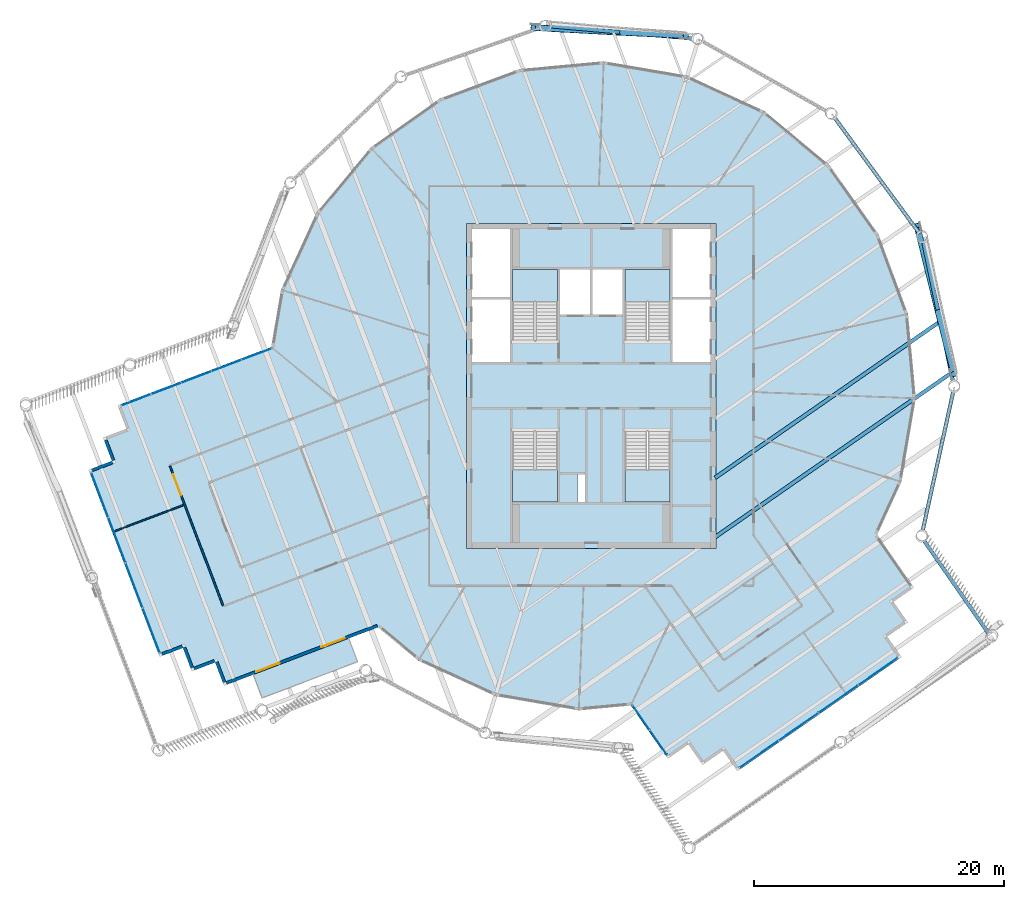
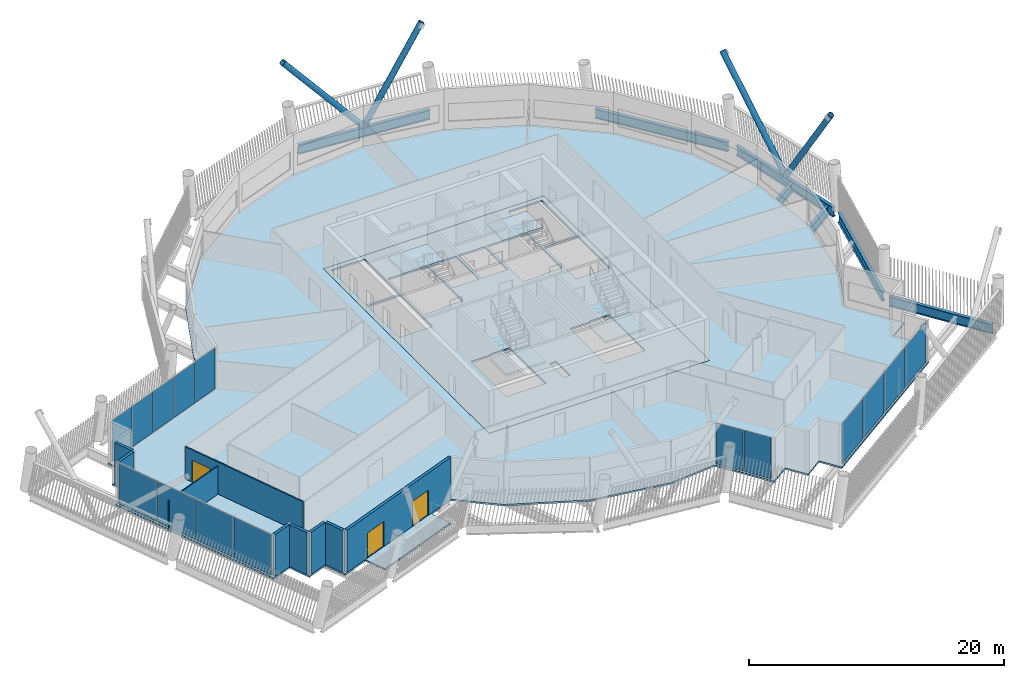
# One storey, part 16 of 33: 15 plates, 9 walls, 7 beams, 7 slabs, 4 members, 3 doors, 3 openings, 8 elements without a shape of their own.
"""IFC4 building model written with IfcOpenShell, lengths in metres."""

import ifcopenshell
import ifcopenshell.guid

model = None  # the IFC model being written
_history = None  # IfcOwnerHistory: only IFC2X3 demands one
_inside = {}  # id of a spatial element -> (the spatial element, [elements in it])
_under = {}  # id of a project, library or spatial element -> (it, [spatial elements below it])
_declared = {}  # id of a project -> (the project, [libraries it declares])
_typed = {}  # id of a type object -> (the type object, [elements of that type])
_made_of = {}  # id of a material, layer set ... -> (it, [elements and type objects made of it])


def new_model(schema):
    """Start an empty IFC model of exactly this schema.

    Asked for "IFC4X3", IfcOpenShell would pick the latest addendum, in which some entities
    have other attributes; the version numbers below select the first issue.
    IFC2X3 requires an IfcOwnerHistory on every rooted entity: one is made here for all.
    """
    global model, _history
    if schema == "IFC4X3":
        model = ifcopenshell.file(schema_version=(4, 3, 0, 0))
    else:
        model = ifcopenshell.file(schema=schema)
    _inside.clear()
    _under.clear()
    _declared.clear()
    _typed.clear()
    _made_of.clear()
    _history = None
    if model.schema == "IFC2X3":
        org = make("IfcOrganization", Name="unknown")
        user = make(
            "IfcPersonAndOrganization",
            ThePerson=make("IfcPerson", FamilyName="unknown"),
            TheOrganization=org,
        )
        app = make(
            "IfcApplication",
            ApplicationDeveloper=org,
            Version="unknown",
            ApplicationFullName="unknown",
            ApplicationIdentifier="unknown",
        )
        _history = make(
            "IfcOwnerHistory",
            OwningUser=user,
            OwningApplication=app,
            ChangeAction="ADDED",
            CreationDate=0,
        )
    return model


def make(cls, **values):
    """One entity of the class cls with the attributes given. An attribute that is None is left unset."""
    return model.create_entity(
        cls, **{name: value for name, value in values.items() if value is not None}
    )


def rooted(cls, **values):
    """An entity with a GlobalId (a new one), such as an element, a storey or a relation."""
    return make(cls, GlobalId=ifcopenshell.guid.new(), OwnerHistory=_history, **values)


def si_unit(unit_type, name, prefix=None):
    """IfcSIUnit, for example si_unit("LENGTHUNIT", "METRE", prefix="MILLI")."""
    return make("IfcSIUnit", UnitType=unit_type, Prefix=prefix, Name=name)


def assignment(units):
    """IfcUnitAssignment: the units of a project."""
    return None if units is None else make("IfcUnitAssignment", Units=units)


def point(xyz):
    """IfcCartesianPoint."""
    return None if xyz is None else make("IfcCartesianPoint", Coordinates=xyz)


def direction(xyz):
    """IfcDirection."""
    return None if xyz is None else make("IfcDirection", DirectionRatios=xyz)


def frame(location, z_axis=None, x_axis=None):
    """IfcAxis2Placement3D, a coordinate frame: its origin and axes. An axis left out is left unset."""
    return make(
        "IfcAxis2Placement3D",
        Location=point(location),
        Axis=direction(z_axis),
        RefDirection=direction(x_axis),
    )


def frame_2d(location, x_axis=None):
    """IfcAxis2Placement2D, a coordinate frame in the plane: its origin and x axis."""
    return make(
        "IfcAxis2Placement2D", Location=point(location), RefDirection=direction(x_axis)
    )


def origin():
    """The frame at (0, 0, 0) with its axes left unset."""
    return frame((0.0, 0.0, 0.0))


def origin_2d():
    """The frame at (0, 0) in the plane with its x axis left unset."""
    return frame_2d((0.0, 0.0))


def place(relative_to, where):
    """IfcLocalPlacement: puts the frame where relative to a parent placement (None: the world)."""
    return make(
        "IfcLocalPlacement", PlacementRelTo=relative_to, RelativePlacement=where
    )


def context(
    kind, dimensions, precision=None, world=None, true_north=None, identifier=None
):
    """IfcGeometricRepresentationContext, for example the 3D "Model" context."""
    return make(
        "IfcGeometricRepresentationContext",
        ContextIdentifier=identifier,
        ContextType=kind,
        CoordinateSpaceDimension=dimensions,
        Precision=precision,
        WorldCoordinateSystem=world,
        TrueNorth=true_north,
    )


def subcontext(parent, identifier, kind, view, scale=None):
    """IfcGeometricRepresentationSubContext, for example "Body" below "Model"."""
    return make(
        "IfcGeometricRepresentationSubContext",
        ContextIdentifier=identifier,
        ContextType=kind,
        ParentContext=parent,
        TargetScale=scale,
        TargetView=view,
    )


def project(units=None, contexts=None):
    """IfcProject with its units and contexts."""
    return rooted(
        "IfcProject",
        Name="project",
        RepresentationContexts=contexts,
        UnitsInContext=assignment(units),
    )


def spatial(cls, under=None, at=None, **own):
    """A site, building, storey or space (cls), placed at a placement, below another one or the project."""
    s = rooted(cls, ObjectPlacement=at, **own)
    if under is not None:
        _under.setdefault(under.id(), (under, []))[1].append(s)
    return s


def polyline(points):
    """IfcPolyline through the points."""
    return make("IfcPolyline", Points=[point(p) for p in points])


def profile(cls, at=None, kind="AREA", **sizes):
    """A parametric profile (cls). Its sizes go by their IFC names, for example OverallWidth=200.0."""
    return make(cls, ProfileType=kind, Position=at, **sizes)


def rectangle(**sizes):
    """IfcRectangleProfileDef."""
    return profile("IfcRectangleProfileDef", **sizes)


def hollow_circle(**sizes):
    """IfcCircleHollowProfileDef."""
    return profile("IfcCircleHollowProfileDef", **sizes)


def i_section(**sizes):
    """IfcIShapeProfileDef."""
    return profile("IfcIShapeProfileDef", **sizes)


def outline(outer, holes=None, kind="AREA"):
    """IfcArbitraryClosedProfileDef: a profile drawn as a closed curve; with holes, ...WithVoids."""
    if holes is None:
        return make("IfcArbitraryClosedProfileDef", ProfileType=kind, OuterCurve=outer)
    return make(
        "IfcArbitraryProfileDefWithVoids",
        ProfileType=kind,
        OuterCurve=outer,
        InnerCurves=holes,
    )


def extrude(swept, where, along, depth):
    """IfcExtrudedAreaSolid: the profile swept, set in the frame where, extruded along a direction by depth."""
    return make(
        "IfcExtrudedAreaSolid",
        SweptArea=swept,
        Position=where,
        ExtrudedDirection=direction(along),
        Depth=depth,
    )


def shape(context_of_items, identifier, shape_type, items):
    """IfcShapeRepresentation: the items that make up one representation, for example the "Body"."""
    return make(
        "IfcShapeRepresentation",
        ContextOfItems=context_of_items,
        RepresentationIdentifier=identifier,
        RepresentationType=shape_type,
        Items=items,
    )


def material(Name=None, Category=None):
    """IfcMaterial."""
    return make("IfcMaterial", Name=Name, Category=Category)


def layer(
    of_material, thickness, ventilated=None, Name=None, Category=None, Priority=None
):
    """IfcMaterialLayer: one layer of a wall or slab, of a material (None: an air gap)."""
    return make(
        "IfcMaterialLayer",
        Material=of_material,
        LayerThickness=thickness,
        IsVentilated=ventilated,
        Name=Name,
        Category=Category,
        Priority=Priority,
    )


def layer_set(layers, Name=None):
    """IfcMaterialLayerSet."""
    return make("IfcMaterialLayerSet", MaterialLayers=layers, LayerSetName=Name)


def material_profile(
    of_material, cross_section, Name=None, Category=None, Priority=None
):
    """IfcMaterialProfile: a cross section and its material."""
    return make(
        "IfcMaterialProfile",
        Name=Name,
        Material=of_material,
        Profile=cross_section,
        Priority=Priority,
        Category=Category,
    )


def profile_set(profiles, Name=None, composite=None):
    """IfcMaterialProfileSet."""
    return make(
        "IfcMaterialProfileSet",
        Name=Name,
        MaterialProfiles=profiles,
        CompositeProfile=composite,
    )


def made_of(thing, what):
    """Note that an element or type object is made of a material, layer set ...; save() writes the relation."""
    if what is not None:
        _made_of.setdefault(what.id(), (what, []))[1].append(thing)
    return thing


def type_object(cls, material=None, **own):
    """A type object (cls), such as IfcWallType, which elements share."""
    return made_of(rooted(cls, **own), material)


def element(
    cls,
    number,
    at=None,
    inside=None,
    cuts=None,
    type_object=None,
    material=None,
    context=None,
    identifier="Body",
    shape_type=None,
    held_by="IfcProductDefinitionShape",
    body=None,
    shapes=None,
    **own,
):
    """One element of the class cls, such as IfcWall. Its Tag is "e" and its number.

    at: its placement. inside: the storey or other place that contains it. cuts: it is an
    opening in that element (IfcRelVoidsElement). A single representation is given by context,
    identifier, shape_type and body (its items); several are given by shapes. held_by: the class
    of the entity that holds the representations. save() writes the other relations.
    """
    e = rooted(cls, Tag="e%d" % number, ObjectPlacement=at, **own)
    if body is not None:
        shapes = [shape(context, identifier, shape_type, body)]
    if shapes is not None:
        e.Representation = make(held_by, Representations=shapes)
    if inside is not None:
        _inside.setdefault(inside.id(), (inside, []))[1].append(e)
    if cuts is not None:
        rooted(
            "IfcRelVoidsElement", RelatingBuildingElement=cuts, RelatedOpeningElement=e
        )
    if type_object is not None:
        _typed.setdefault(type_object.id(), (type_object, []))[1].append(e)
    return made_of(e, material)


def fill(opening, filler):
    """IfcRelFillsElement: the door or window that sits in an opening."""
    return rooted(
        "IfcRelFillsElement",
        RelatingOpeningElement=opening,
        RelatedBuildingElement=filler,
    )


def aggregate(whole, parts):
    """IfcRelAggregates: a whole, such as a stair, and the parts it consists of."""
    return rooted("IfcRelAggregates", RelatingObject=whole, RelatedObjects=parts)


def save(model, path):
    """Write the relations noted so far, then the file.

    IfcRelAggregates (storeys below a building ...), IfcRelContainedInSpatialStructure (elements
    in a storey), IfcRelDefinesByType, IfcRelAssociatesMaterial and IfcRelDeclares: one each for
    every whole, place, type object, material and project.
    """
    for whole, parts in _under.values():
        aggregate(whole, parts)
    for where, things in _inside.values():
        rooted(
            "IfcRelContainedInSpatialStructure",
            RelatedElements=things,
            RelatingStructure=where,
        )
    for kind, things in _typed.values():
        rooted("IfcRelDefinesByType", RelatedObjects=things, RelatingType=kind)
    for what, things in _made_of.values():
        rooted("IfcRelAssociatesMaterial", RelatedObjects=things, RelatingMaterial=what)
    for by, libraries in _declared.values():
        rooted("IfcRelDeclares", RelatingContext=by, RelatedDefinitions=libraries)
    model.write(path)


model = new_model("IFC4")

# Units and contexts
model_context = context("Model", 3, precision=1e-05, world=origin(), true_north=direction((0.0, 1.0)))
body_context = subcontext(model_context, "Body", "Model", "MODEL_VIEW")
ifc_project = project(units=[si_unit("LENGTHUNIT", "METRE"), si_unit("AREAUNIT", "SQUARE_METRE"), si_unit("VOLUMEUNIT", "CUBIC_METRE"), si_unit("PLANEANGLEUNIT", "RADIAN"), si_unit("MASSUNIT", "GRAM", prefix="KILO")], contexts=[model_context])

# Site, building, storey
site_placement = place(None, origin())
site = spatial("IfcSite", under=ifc_project, at=site_placement, CompositionType="ELEMENT")
building_placement = place(site_placement, origin())
building = spatial("IfcBuilding", under=site, at=building_placement, Name="Tarsis Ring Headquarters", CompositionType="ELEMENT")
storey_placement = place(building_placement, frame((0.0, 0.0, 369.199951171875)))
storey = spatial("IfcBuildingStorey", under=building, at=storey_placement, Name="L87", CompositionType="ELEMENT", Elevation=369.199951171875)

# Beams
ifc_material_1 = material(Name="Structural steel S355", Category="steel")
ifc_material_profile_1 = material_profile(ifc_material_1, i_section(OverallWidth=0.3046875, OverallDepth=0.91943359375, WebThickness=0.017333984375, FlangeThickness=0.02783203125, at=origin_2d()), Name="W36x170")
ifc_profile_set_1 = profile_set([ifc_material_profile_1], Name="Structural steel S355")
beam_type_1 = type_object("IfcBeamType", Name="FB Floor beam W36x170", PredefinedType="JOIST", material=ifc_profile_set_1)
beam_1_placement = place(storey_placement, frame((9.91796875, -7.355224609375, -0.61962890625), z_axis=(0.821147205036, 0.570716451193, 0.0), x_axis=(-0.570716451193, 0.821147205036, 0.0)))
element("IfcBeam", 1, at=beam_1_placement, inside=storey, type_object=beam_type_1, Name="Floor beam FB9", PredefinedType="JOIST", context=body_context, shape_type="SweptSolid", body=[
    extrude(i_section(OverallWidth=0.3046875, OverallDepth=0.91943359375, WebThickness=0.017333984375, FlangeThickness=0.02783203125, at=origin_2d()), origin(), (0.0, 0.0, 1.0), 21.87158203125),
])
beam_2_placement = place(storey_placement, frame((9.91796875, -12.104736328125, -0.61962890625), z_axis=(0.82114592637, 0.570718290933, 0.0), x_axis=(-0.570718290933, 0.82114592637, 0.0)))
element("IfcBeam", 2, at=beam_2_placement, inside=storey, type_object=beam_type_1, Name="Floor beam FB9", PredefinedType="JOIST", context=body_context, shape_type="SweptSolid", body=[
    extrude(i_section(OverallWidth=0.3046875, OverallDepth=0.91943359375, WebThickness=0.017333984375, FlangeThickness=0.02783203125, at=origin_2d()), origin(), (0.0, 0.0, 1.0), 22.938232421875),
])

# Members
ifc_material_profile_2 = material_profile(ifc_material_1, hollow_circle(Radius=0.25390625, WallThickness=0.02001953125, at=origin_2d()), Name="CHS 508x20")
ifc_profile_set_2 = profile_set([ifc_material_profile_2], Name="Structural steel S355")
member_type = type_object("IfcMemberType", Name="XD X brace CHS 508x20", PredefinedType="BRACE", material=ifc_profile_set_2)
member_1_placement = place(storey_placement, frame((27.78076171875, 5.87646484375, 0.0), z_axis=(-0.155476143508, 0.629515758514, 0.761273327119), x_axis=(-0.970829030376, -0.239772796164, 0.0)))
element("IfcMember", 3, at=member_1_placement, inside=storey, type_object=member_type, Name="X brace XD2", PredefinedType="BRACE", context=body_context, shape_type="SweptSolid", body=[
    extrude(hollow_circle(Radius=0.25390625, WallThickness=0.02001953125, at=origin_2d()), origin(), (0.0, 0.0, 1.0), 11.034423828125),
])
member_2_placement = place(storey_placement, frame((27.78076171875, 5.87646484375, 0.0), z_axis=(0.127513035737, -0.502596693576, 0.855065488324), x_axis=(0.969290817373, 0.245917285598, 0.0)))
element("IfcMember", 4, at=member_2_placement, inside=storey, type_object=member_type, Name="X brace XD2", PredefinedType="BRACE", context=body_context, shape_type="SweptSolid", body=[
    extrude(hollow_circle(Radius=0.25390625, WallThickness=0.02001953125, at=origin_2d()), origin(), (0.0, 0.0, 1.0), 9.823974609375),
])
member_3_placement = place(storey_placement, frame((2.489013671875, 28.286376953125, 0.0), z_axis=(-0.647482372452, 0.035046886207, 0.761274124827), x_axis=(-0.054048819645, -0.998538294256, 0.0)))
element("IfcMember", 5, at=member_3_placement, inside=storey, type_object=member_type, Name="X brace XD2", PredefinedType="BRACE", context=body_context, shape_type="SweptSolid", body=[
    extrude(hollow_circle(Radius=0.25390625, WallThickness=0.02001953125, at=origin_2d()), origin(), (0.0, 0.0, 1.0), 11.034423828125),
])
member_4_placement = place(storey_placement, frame((2.489013671875, 28.286376953125, 0.0), z_axis=(0.517929435556, -0.024776913164, 0.855064444565), x_axis=(0.047783749872, 0.998857704204, 0.0)))
element("IfcMember", 6, at=member_4_placement, inside=storey, type_object=member_type, Name="X brace XD2", PredefinedType="BRACE", context=body_context, shape_type="SweptSolid", body=[
    extrude(hollow_circle(Radius=0.25390625, WallThickness=0.02001953125, at=origin_2d()), origin(), (0.0, 0.0, 1.0), 9.823974609375),
])

# Beams
beam_type_2 = type_object("IfcBeamType", Name="XG Ring girder W36x170", PredefinedType="BEAM", material=ifc_profile_set_1)
beam_3_placement = place(storey_placement, frame((31.779052734375, -19.79150390625, -0.459716796875), z_axis=(-0.570717197656, 0.821146686226, 0.0), x_axis=(-0.821146686226, -0.570717197656, 0.0)))
element("IfcBeam", 7, at=beam_3_placement, inside=storey, type_object=beam_type_2, Name="Ring girder XG4", PredefinedType="BEAM", context=body_context, shape_type="SweptSolid", body=[
    extrude(i_section(OverallWidth=0.3046875, OverallDepth=0.91943359375, WebThickness=0.017333984375, FlangeThickness=0.02783203125, at=origin_2d()), origin(), (0.0, 0.0, 1.0), 8.981689453125),
])
beam_4_placement = place(storey_placement, frame((26.506591796875, -11.676513671875, -0.459716796875), z_axis=(0.214719522266, 0.976675753133, 0.0), x_axis=(-0.976675753133, 0.214719522266, 0.0)))
element("IfcBeam", 8, at=beam_4_placement, inside=storey, type_object=beam_type_2, Name="Ring girder XG4", PredefinedType="BEAM", context=body_context, shape_type="SweptSolid", body=[
    extrude(i_section(OverallWidth=0.3046875, OverallDepth=0.91943359375, WebThickness=0.017333984375, FlangeThickness=0.02783203125, at=origin_2d()), origin(), (0.0, 0.0, 1.0), 11.426025390625),
])
beam_5_placement = place(storey_placement, frame((28.963134765625, 0.287353515625, -0.459716796875), z_axis=(-0.206944038444, 0.97835278144, 0.0), x_axis=(-0.97835278144, -0.206944038444, 0.0)))
element("IfcBeam", 9, at=beam_5_placement, inside=storey, type_object=beam_type_2, Name="Ring girder XG4", PredefinedType="BEAM", context=body_context, shape_type="SweptSolid", body=[
    extrude(i_section(OverallWidth=0.3046875, OverallDepth=0.91943359375, WebThickness=0.017333984375, FlangeThickness=0.02783203125, at=origin_2d()), origin(), (0.0, 0.0, 1.0), 11.42578125),
])
beam_6_placement = place(storey_placement, frame((26.269775390625, 12.199951171875, -0.459716796875), z_axis=(-0.591808209765, 0.806078806852, 0.0), x_axis=(-0.806078806852, -0.591808209765, 0.0)))
element("IfcBeam", 10, at=beam_6_placement, inside=storey, type_object=beam_type_2, Name="Ring girder XG4", PredefinedType="BEAM", context=body_context, shape_type="SweptSolid", body=[
    extrude(i_section(OverallWidth=0.3046875, OverallDepth=0.91943359375, WebThickness=0.017333984375, FlangeThickness=0.02783203125, at=origin_2d()), origin(), (0.0, 0.0, 1.0), 11.426025390625),
])
beam_7_placement = place(storey_placement, frame((8.179931640625, 27.785400390625, -0.459716796875), z_axis=(-0.996149523394, 0.087670559727, 0.0), x_axis=(-0.087670559727, -0.996149523394, 0.0)))
element("IfcBeam", 11, at=beam_7_placement, inside=storey, type_object=beam_type_2, Name="Ring girder XG4", PredefinedType="BEAM", context=body_context, shape_type="SweptSolid", body=[
    extrude(i_section(OverallWidth=0.3046875, OverallDepth=0.91943359375, WebThickness=0.017333984375, FlangeThickness=0.02783203125, at=origin_2d()), origin(), (0.0, 0.0, 1.0), 11.42578125),
])

# Slabs
ifc_material_2 = material(Name="Concrete C40/50", Category="concrete")
ifc_layer_1 = layer(ifc_material_2, 0.159912109375)
ifc_layer_set_1 = layer_set([ifc_layer_1], Name="Balcony slab concrete C40/50")
slab_type_1 = type_object("IfcSlabType", Name="Balcony slab concrete C40/50", PredefinedType="FLOOR", material=ifc_layer_set_1)
slab_1_placement = place(storey_placement, frame((0.0, 0.0, -0.159912109375)))
element("IfcSlab", 12, at=slab_1_placement, inside=storey, type_object=slab_type_1, Name="Balcony slab L87-01", PredefinedType="FLOOR", context=body_context, shape_type="SweptSolid", body=[
    extrude(outline(polyline([(-27.055419921875, -23.114013671875), (-26.34521484375, -24.983642578125), (-18.705810546875, -22.081787109375), (-19.416015625, -20.212158203125), (-27.055419921875, -23.114013671875)])), origin(), (0.0, 0.0, 1.0), 0.159912109375),
])
ifc_layer_2 = layer(ifc_material_2, 0.159912109375)
ifc_layer_set_2 = layer_set([ifc_layer_2], Name="Core floor slab 160 C40/50")
slab_type_2 = type_object("IfcSlabType", Name="Core floor slab 160 C40/50", PredefinedType="FLOOR", material=ifc_layer_set_2)
slab_2_placement = place(storey_placement, frame((0.0, 0.0, -0.159912109375)))
element("IfcSlab", 13, at=slab_2_placement, inside=storey, type_object=slab_type_2, Name="L87 core floor slab", PredefinedType="FLOOR", context=body_context, shape_type="SweptSolid", body=[
    extrude(outline(polyline([(-10.0, -13.0), (10.0, -13.0), (10.0, 13.0), (-10.0, 13.0), (-10.0, -13.0)]), holes=[polyline([(-2.5, 5.699951171875), (-0.10009765625, 5.699951171875), (-0.10009765625, 9.300048828125), (-2.5, 9.300048828125), (-2.5, 5.699951171875)]), polyline([(0.10009765625, 5.699951171875), (2.5, 5.699951171875), (2.5, 9.300048828125), (0.10009765625, 9.300048828125), (0.10009765625, 5.699951171875)]), polyline([(-9.550048828125, 1.89990234375), (-6.5, 1.89990234375), (-6.5, 6.89990234375), (-9.550048828125, 6.89990234375), (-9.550048828125, 1.89990234375)]), polyline([(-9.550048828125, 7.10009765625), (-6.5, 7.10009765625), (-6.5, 12.550048828125), (-9.550048828125, 12.550048828125), (-9.550048828125, 7.10009765625)]), polyline([(6.5, 1.89990234375), (9.550048828125, 1.89990234375), (9.550048828125, 6.89990234375), (6.5, 6.89990234375), (6.5, 1.89990234375)]), polyline([(6.5, 7.10009765625), (9.550048828125, 7.10009765625), (9.550048828125, 12.550048828125), (6.5, 12.550048828125), (6.5, 7.10009765625)]), polyline([(-1.10009765625, -9.300048828125), (-0.5, -9.300048828125), (-0.5, -7.10009765625), (-1.10009765625, -7.10009765625), (-1.10009765625, -9.300048828125)]), polyline([(-2.699951171875, 3.760009765625), (-2.699951171875, 9.300048828125), (-6.300048828125, 9.300048828125), (-6.300048828125, 3.659912109375), (-4.4599609375, 3.659912109375), (-4.4599609375, 3.760009765625), (-2.699951171875, 3.760009765625)]), polyline([(6.300048828125, 3.760009765625), (6.300048828125, 9.300048828125), (2.699951171875, 9.300048828125), (2.699951171875, 3.659912109375), (4.5400390625, 3.659912109375), (4.5400390625, 3.760009765625), (6.300048828125, 3.760009765625)]), polyline([(-6.300048828125, -3.760009765625), (-6.300048828125, -9.300048828125), (-2.699951171875, -9.300048828125), (-2.699951171875, -3.659912109375), (-4.5400390625, -3.659912109375), (-4.5400390625, -3.760009765625), (-6.300048828125, -3.760009765625)]), polyline([(2.699951171875, -3.760009765625), (2.699951171875, -9.300048828125), (6.300048828125, -9.300048828125), (6.300048828125, -3.659912109375), (4.4599609375, -3.659912109375), (4.4599609375, -3.760009765625), (2.699951171875, -3.760009765625)])]), origin(), (0.0, 0.0, 1.0), 0.159912109375),
])

# Stair, slab
ifc_material_3 = material(Name="Core stair 1760")
stair_type = type_object("IfcStairType", Name="Core stair 1760", PredefinedType="HALF_TURN_STAIR", material=ifc_material_3)
stair_1_placement = place(storey_placement, origin())
stair_1 = element("IfcStair", 14, at=stair_1_placement, inside=storey, type_object=stair_type, Name="L87 Firefighting stair", PredefinedType="HALF_TURN_STAIR")
ifc_layer_3 = layer(ifc_material_2, 0.199951171875)
ifc_layer_set_3 = layer_set([ifc_layer_3], Name="Core stair landing 200")
slab_type_3 = type_object("IfcSlabType", Name="Core stair landing 200", PredefinedType="LANDING", material=ifc_layer_set_3)
slab_3_placement = place(storey_placement, frame((0.0, 0.0, 1.900146484375)))
slab_3 = element("IfcSlab", 15, at=slab_3_placement, type_object=slab_type_3, Name="Stair ST1 landing 1", PredefinedType="LANDING", context=body_context, shape_type="SweptSolid", body=[
    extrude(outline(polyline([(-2.699951171875, 6.739990234375), (-2.699951171875, 9.300048828125), (-6.300048828125, 9.300048828125), (-6.300048828125, 6.739990234375), (-2.699951171875, 6.739990234375)])), origin(), (0.0, 0.0, 1.0), 0.199951171875),
])
aggregate(stair_1, [slab_3])

stair_2_placement = place(storey_placement, origin())
stair_2 = element("IfcStair", 16, at=stair_2_placement, inside=storey, type_object=stair_type, Name="L87 Exit stair B", PredefinedType="HALF_TURN_STAIR")
slab_4_placement = place(storey_placement, frame((0.0, 0.0, 1.900146484375)))
slab_4 = element("IfcSlab", 17, at=slab_4_placement, type_object=slab_type_3, Name="Stair ST2 landing 1", PredefinedType="LANDING", context=body_context, shape_type="SweptSolid", body=[
    extrude(outline(polyline([(6.300048828125, 6.739990234375), (6.300048828125, 9.300048828125), (2.699951171875, 9.300048828125), (2.699951171875, 6.739990234375), (6.300048828125, 6.739990234375)])), origin(), (0.0, 0.0, 1.0), 0.199951171875),
])
aggregate(stair_2, [slab_4])

stair_3_placement = place(storey_placement, origin())
stair_3 = element("IfcStair", 18, at=stair_3_placement, inside=storey, type_object=stair_type, Name="L87 Exit stair C", PredefinedType="HALF_TURN_STAIR")
slab_5_placement = place(storey_placement, frame((0.0, 0.0, 1.900146484375)))
slab_5 = element("IfcSlab", 19, at=slab_5_placement, type_object=slab_type_3, Name="Stair ST3 landing 1", PredefinedType="LANDING", context=body_context, shape_type="SweptSolid", body=[
    extrude(outline(polyline([(-6.300048828125, -6.739990234375), (-6.300048828125, -9.300048828125), (-2.699951171875, -9.300048828125), (-2.699951171875, -6.739990234375), (-6.300048828125, -6.739990234375)])), origin(), (0.0, 0.0, 1.0), 0.199951171875),
])
aggregate(stair_3, [slab_5])

stair_4_placement = place(storey_placement, origin())
stair_4 = element("IfcStair", 20, at=stair_4_placement, inside=storey, type_object=stair_type, Name="L87 Exit stair D", PredefinedType="HALF_TURN_STAIR")
slab_6_placement = place(storey_placement, frame((0.0, 0.0, 1.900146484375)))
slab_6 = element("IfcSlab", 21, at=slab_6_placement, type_object=slab_type_3, Name="Stair ST4 landing 1", PredefinedType="LANDING", context=body_context, shape_type="SweptSolid", body=[
    extrude(outline(polyline([(2.699951171875, -6.739990234375), (2.699951171875, -9.300048828125), (6.300048828125, -9.300048828125), (6.300048828125, -6.739990234375), (2.699951171875, -6.739990234375)])), origin(), (0.0, 0.0, 1.0), 0.199951171875),
])
aggregate(stair_4, [slab_6])

# Curtain wall, plates
ifc_material_4 = material(Name="Aluminium curtain wall", Category="aluminium")
ifc_layer_4 = layer(ifc_material_4, 0.199951171875)
ifc_layer_set_4 = layer_set([ifc_layer_4], Name="Curtain wall executive tip")
curtain_wall_type_1 = type_object("IfcCurtainWallType", Name="Curtain wall executive tip", PredefinedType="NOTDEFINED", material=ifc_layer_set_4)
curtain_wall_1_placement = place(storey_placement, origin())
curtain_wall_1 = element("IfcCurtainWall", 22, at=curtain_wall_1_placement, inside=storey, type_object=curtain_wall_type_1, Name="Curtain wall L87-11", PredefinedType="NOTDEFINED")
ifc_material_5 = material(Name="Clear double glazing", Category="glass")
ifc_layer_5 = layer(ifc_material_5, 0.028076171875)
ifc_layer_set_5 = layer_set([ifc_layer_5], Name="Curtain wall glass panel executive tip")
plate_type_1 = type_object("IfcPlateType", Name="Curtain wall glass panel executive tip", PredefinedType="CURTAIN_PANEL", material=ifc_layer_set_5)
plate_1_placement = place(storey_placement, frame((13.432861328125, -29.4814453125, 0.070068359375), z_axis=(0.0, 0.0, 1.0), x_axis=(0.821149223607, 0.57071354686, 0.0)))
plate_1 = element("IfcPlate", 23, at=plate_1_placement, type_object=plate_type_1, Name="CW-E panel 1.1", PredefinedType="CURTAIN_PANEL", context=body_context, shape_type="SweptSolid", body=[
    extrude(rectangle(XDim=3.77001953125, YDim=0.028076171875, at=origin_2d()), origin(), (0.0, 0.0, 1.0), 3.89990234375),
])
plate_2_placement = place(storey_placement, frame((16.6005859375, -27.27978515625, 0.070068359375), z_axis=(0.0, 0.0, 1.0), x_axis=(0.821149223607, 0.57071354686, 0.0)))
plate_2 = element("IfcPlate", 24, at=plate_2_placement, type_object=plate_type_1, Name="CW-E panel 2.1", PredefinedType="CURTAIN_PANEL", context=body_context, shape_type="SweptSolid", body=[
    extrude(rectangle(XDim=3.804931640625, YDim=0.028076171875, at=origin_2d()), origin(), (0.0, 0.0, 1.0), 3.89990234375),
])
plate_3_placement = place(storey_placement, frame((19.782470703125, -25.068359375, 0.070068359375), z_axis=(0.0, 0.0, 1.0), x_axis=(0.821149223607, 0.57071354686, 0.0)))
plate_3 = element("IfcPlate", 25, at=plate_3_placement, type_object=plate_type_1, Name="CW-E panel 3.1", PredefinedType="CURTAIN_PANEL", context=body_context, shape_type="SweptSolid", body=[
    extrude(rectangle(XDim=3.804931640625, YDim=0.028076171875, at=origin_2d()), origin(), (0.0, 0.0, 1.0), 3.89990234375),
])
plate_4_placement = place(storey_placement, frame((22.949951171875, -22.866943359375, 0.070068359375), z_axis=(0.0, 0.0, 1.0), x_axis=(0.821149223607, 0.57071354686, 0.0)))
plate_4 = element("IfcPlate", 26, at=plate_4_placement, type_object=plate_type_1, Name="CW-E panel 4.1", PredefinedType="CURTAIN_PANEL", context=body_context, shape_type="SweptSolid", body=[
    extrude(rectangle(XDim=3.77001953125, YDim=0.028076171875, at=origin_2d()), origin(), (0.0, 0.0, 1.0), 3.89990234375),
])
aggregate(curtain_wall_1, [plate_1, plate_2, plate_3, plate_4])

curtain_wall_2_placement = place(storey_placement, origin())
curtain_wall_2 = element("IfcCurtainWall", 27, at=curtain_wall_2_placement, inside=storey, type_object=curtain_wall_type_1, Name="Curtain wall L87-36", PredefinedType="NOTDEFINED")
plate_5_placement = place(storey_placement, frame((-39.333984375, -8.74267578125, 0.070068359375), z_axis=(0.0, 0.0, 1.0), x_axis=(0.355106966732, -0.934825674754, 0.0)))
plate_5 = element("IfcPlate", 28, at=plate_5_placement, type_object=plate_type_1, Name="CW-E panel 1.1", PredefinedType="CURTAIN_PANEL", context=body_context, shape_type="SweptSolid", body=[
    extrude(rectangle(XDim=3.77001953125, YDim=0.028076171875, at=origin_2d()), origin(), (0.0, 0.0, 1.0), 3.89990234375),
])
plate_6_placement = place(storey_placement, frame((-37.964111328125, -12.3486328125, 0.070068359375), z_axis=(0.0, 0.0, 1.0), x_axis=(0.355106966732, -0.934825674754, 0.0)))
plate_6 = element("IfcPlate", 29, at=plate_6_placement, type_object=plate_type_1, Name="CW-E panel 2.1", PredefinedType="CURTAIN_PANEL", context=body_context, shape_type="SweptSolid", body=[
    extrude(rectangle(XDim=3.804931640625, YDim=0.028076171875, at=origin_2d()), origin(), (0.0, 0.0, 1.0), 3.89990234375),
])
plate_7_placement = place(storey_placement, frame((-36.588134765625, -15.97119140625, 0.070068359375), z_axis=(0.0, 0.0, 1.0), x_axis=(0.355106966732, -0.934825674754, 0.0)))
plate_7 = element("IfcPlate", 30, at=plate_7_placement, type_object=plate_type_1, Name="CW-E panel 3.1", PredefinedType="CURTAIN_PANEL", context=body_context, shape_type="SweptSolid", body=[
    extrude(rectangle(XDim=3.804931640625, YDim=0.028076171875, at=origin_2d()), origin(), (0.0, 0.0, 1.0), 3.89990234375),
])
plate_8_placement = place(storey_placement, frame((-35.21826171875, -19.5771484375, 0.070068359375), z_axis=(0.0, 0.0, 1.0), x_axis=(0.355106966732, -0.934825674754, 0.0)))
plate_8 = element("IfcPlate", 31, at=plate_8_placement, type_object=plate_type_1, Name="CW-E panel 4.1", PredefinedType="CURTAIN_PANEL", context=body_context, shape_type="SweptSolid", body=[
    extrude(rectangle(XDim=3.77001953125, YDim=0.028076171875, at=origin_2d()), origin(), (0.0, 0.0, 1.0), 3.89990234375),
])
aggregate(curtain_wall_2, [plate_5, plate_6, plate_7, plate_8])

ifc_layer_6 = layer(ifc_material_4, 0.14990234375)
ifc_layer_set_6 = layer_set([ifc_layer_6], Name="Curtain wall tower unit")
curtain_wall_type_2 = type_object("IfcCurtainWallType", Name="Curtain wall tower unit", PredefinedType="NOTDEFINED", material=ifc_layer_set_6)
curtain_wall_3_placement = place(storey_placement, origin())
curtain_wall_3 = element("IfcCurtainWall", 32, at=curtain_wall_3_placement, inside=storey, type_object=curtain_wall_type_2, Name="Curtain wall L87-06", PredefinedType="NOTDEFINED")
ifc_layer_7 = layer(ifc_material_5, 0.028076171875)
ifc_layer_set_7 = layer_set([ifc_layer_7], Name="Curtain wall glass panel tower unit")
plate_type_2 = type_object("IfcPlateType", Name="Curtain wall glass panel tower unit", PredefinedType="CURTAIN_PANEL", material=ifc_layer_set_7)
plate_9_placement = place(storey_placement, frame((3.988037109375, -26.545166015625, 0.06005859375), z_axis=(0.0, 0.0, 1.0), x_axis=(0.570713551662, -0.82114922027, 0.0)))
plate_9 = element("IfcPlate", 33, at=plate_9_placement, type_object=plate_type_2, Name="CW-T panel 1.1", PredefinedType="CURTAIN_PANEL", context=body_context, shape_type="SweptSolid", body=[
    extrude(rectangle(XDim=2.37109375, YDim=0.028076171875, at=origin_2d()), origin(), (0.0, 0.0, 1.0), 3.919921875),
])
plate_10_placement = place(storey_placement, frame((5.375244140625, -28.541259765625, 0.06005859375), z_axis=(0.0, 0.0, 1.0), x_axis=(0.570713551662, -0.82114922027, 0.0)))
plate_10 = element("IfcPlate", 34, at=plate_10_placement, type_object=plate_type_2, Name="CW-T panel 2.1", PredefinedType="CURTAIN_PANEL", context=body_context, shape_type="SweptSolid", body=[
    extrude(rectangle(XDim=2.37109375, YDim=0.028076171875, at=origin_2d()), origin(), (0.0, 0.0, 1.0), 3.919921875),
])
aggregate(curtain_wall_3, [plate_9, plate_10])

curtain_wall_4_placement = place(storey_placement, origin())
curtain_wall_4 = element("IfcCurtainWall", 35, at=curtain_wall_4_placement, inside=storey, type_object=curtain_wall_type_2, Name="Curtain wall L87-31", PredefinedType="NOTDEFINED")
plate_11_placement = place(storey_placement, frame((-26.796630859375, 2.52392578125, 0.06005859375), z_axis=(0.0, 0.0, 1.0), x_axis=(-0.934825683207, -0.355106944477, 0.0)))
plate_11 = element("IfcPlate", 36, at=plate_11_placement, type_object=plate_type_2, Name="CW-T panel 1.1", PredefinedType="CURTAIN_PANEL", context=body_context, shape_type="SweptSolid", body=[
    extrude(rectangle(XDim=2.490234375, YDim=0.028076171875, at=origin_2d()), origin(), (0.0, 0.0, 1.0), 3.919921875),
])
plate_12_placement = place(storey_placement, frame((-29.194580078125, 1.613037109375, 0.06005859375), z_axis=(0.0, 0.0, 1.0), x_axis=(-0.934825683207, -0.355106944477, 0.0)))
plate_12 = element("IfcPlate", 37, at=plate_12_placement, type_object=plate_type_2, Name="CW-T panel 2.1", PredefinedType="CURTAIN_PANEL", context=body_context, shape_type="SweptSolid", body=[
    extrude(rectangle(XDim=2.520263671875, YDim=0.028076171875, at=origin_2d()), origin(), (0.0, 0.0, 1.0), 3.919921875),
])
plate_13_placement = place(storey_placement, frame((-31.606689453125, 0.696533203125, 0.06005859375), z_axis=(0.0, 0.0, 1.0), x_axis=(-0.934825683207, -0.355106944477, 0.0)))
plate_13 = element("IfcPlate", 38, at=plate_13_placement, type_object=plate_type_2, Name="CW-T panel 3.1", PredefinedType="CURTAIN_PANEL", context=body_context, shape_type="SweptSolid", body=[
    extrude(rectangle(XDim=2.520263671875, YDim=0.028076171875, at=origin_2d()), origin(), (0.0, 0.0, 1.0), 3.919921875),
])
plate_14_placement = place(storey_placement, frame((-34.018798828125, -0.2197265625, 0.06005859375), z_axis=(0.0, 0.0, 1.0), x_axis=(-0.934825683207, -0.355106944477, 0.0)))
plate_14 = element("IfcPlate", 39, at=plate_14_placement, type_object=plate_type_2, Name="CW-T panel 4.1", PredefinedType="CURTAIN_PANEL", context=body_context, shape_type="SweptSolid", body=[
    extrude(rectangle(XDim=2.520263671875, YDim=0.028076171875, at=origin_2d()), origin(), (0.0, 0.0, 1.0), 3.919921875),
])
plate_15_placement = place(storey_placement, frame((-36.416748046875, -1.130615234375, 0.06005859375), z_axis=(0.0, 0.0, 1.0), x_axis=(-0.934825683207, -0.355106944477, 0.0)))
plate_15 = element("IfcPlate", 40, at=plate_15_placement, type_object=plate_type_2, Name="CW-T panel 5.1", PredefinedType="CURTAIN_PANEL", context=body_context, shape_type="SweptSolid", body=[
    extrude(rectangle(XDim=2.490234375, YDim=0.028076171875, at=origin_2d()), origin(), (0.0, 0.0, 1.0), 3.919921875),
])
aggregate(curtain_wall_4, [plate_11, plate_12, plate_13, plate_14, plate_15])

# Slab
ifc_material_6 = material(Name="Concrete C35/45", Category="concrete")
ifc_layer_8 = layer(ifc_material_6, 0.159912109375)
ifc_layer_set_8 = layer_set([ifc_layer_8], Name="FS Composite floor slab 160")
slab_type_4 = type_object("IfcSlabType", Name="FS Composite floor slab 160", PredefinedType="FLOOR", material=ifc_layer_set_8)
slab_7_placement = place(storey_placement, frame((0.0, 0.0, -0.159912109375)))
element("IfcSlab", 41, at=slab_7_placement, inside=storey, type_object=slab_type_4, Name="Floor slab L87", PredefinedType="FLOOR", context=body_context, shape_type="SweptSolid", body=[
    extrude(outline(polyline([(-17.078857421875, -19.32421875), (-13.854736328125, -22.0009765625), (-7.6884765625, -24.837158203125), (-0.998046875, -25.98095703125), (3.174560546875, -25.59375), (6.126220703125, -29.8408203125), (7.7685546875, -28.69921875), (8.909912109375, -30.341552734375), (10.55224609375, -29.2001953125), (11.693603515625, -30.842529296875), (24.83203125, -21.711181640625), (23.690673828125, -20.06884765625), (25.3330078125, -18.92724609375), (24.19140625, -17.28515625), (25.833740234375, -16.1435546875), (22.893798828125, -11.91357421875), (24.837158203125, -7.6884765625), (25.98095703125, -0.998046875), (25.35400390625, 5.76025390625), (22.9990234375, 12.1259765625), (19.076904296875, 17.66552734375), (13.854736328125, 22.0009765625), (7.6884765625, 24.837158203125), (0.998046875, 25.98095703125), (-5.76025390625, 25.35400390625), (-12.1259765625, 22.9990234375), (-17.66552734375, 19.076904296875), (-22.0009765625, 13.854736328125), (-24.837158203125, 7.6884765625), (-25.620849609375, 3.104248046875), (-37.9150390625, -1.56591796875), (-37.204833984375, -3.435546875), (-39.074462890625, -4.145751953125), (-38.3642578125, -6.015380859375), (-40.23388671875, -6.7255859375), (-34.55224609375, -21.682861328125), (-32.6826171875, -20.97265625), (-31.972412109375, -22.84228515625), (-30.1025390625, -22.132080078125), (-29.392333984375, -24.001708984375), (-17.078857421875, -19.32421875)]), holes=[polyline([(-10.0, -13.0), (-10.0, 13.0), (10.0, 13.0), (10.0, -13.0), (-10.0, -13.0)])]), origin(), (0.0, 0.0, 1.0), 0.159912109375),
])

# Wall
ifc_material_7 = material(Name="Gypsum board on steel studs", Category="steel")
ifc_layer_9 = layer(ifc_material_7, 0.10009765625)
ifc_layer_set_9 = layer_set([ifc_layer_9], Name="FL partition 100 unrated")
wall_type_1 = type_object("IfcWallType", Name="FL partition 100 unrated", PredefinedType="PARTITIONING", material=ifc_layer_set_9)
wall_1_placement = place(storey_placement, frame((-38.29443359375, -11.6904296875, 0.0), z_axis=(0.0, 0.0, 1.0), x_axis=(0.934833971164, 0.35508512551, 0.0)))
element("IfcWall", 42, at=wall_1_placement, inside=storey, type_object=wall_type_1, Name="Partition PW3", PredefinedType="PARTITIONING", context=body_context, shape_type="SweptSolid", body=[
    extrude(rectangle(XDim=6.080078125, YDim=0.10009765625, at=frame_2d((3.0400390625, 0.0))), origin(), (0.0, 0.0, 1.0), 2.699951171875),
])

# Wall, opening, door
ifc_layer_10 = layer(ifc_material_7, 0.125)
ifc_layer_set_10 = layer_set([ifc_layer_10], Name="FL partition 125 EI 60 H3070")
wall_type_2 = type_object("IfcWallType", Name="FL partition 125 EI 60 H3070", PredefinedType="PARTITIONING", material=ifc_layer_set_10)
wall_2_placement = place(storey_placement, frame((-33.717041015625, -6.421630859375, 0.0), z_axis=(0.0, 0.0, 1.0), x_axis=(0.355106624226, -0.934825804859, 0.0)))
wall_2 = element("IfcWall", 43, at=wall_2_placement, inside=storey, type_object=wall_type_2, Name="Partition PW1H307", PredefinedType="PARTITIONING", context=body_context, shape_type="SweptSolid", body=[
    extrude(rectangle(XDim=11.93994140625, YDim=0.125, at=frame_2d((5.969970703125, 0.0))), origin(), (0.0, 0.0, 1.0), 3.070068359375),
])
opening_1_placement = place(wall_2_placement, frame((0.7216796875, 0.0, 0.0)))
opening_1 = element("IfcOpeningElement", 44, at=opening_1_placement, cuts=wall_2, Name="Opening D87.02", PredefinedType="OPENING", context=body_context, shape_type="SweptSolid", body=[
    extrude(rectangle(XDim=1.800048828125, YDim=2.10009765625, at=frame_2d((0.89990234375, 1.050048828125))), frame((0.0, 0.072509765625, 0.0), z_axis=(0.0, -1.0, 0.0), x_axis=(1.0, 0.0, 0.0)), (0.0, 0.0, 1.0), 0.14501953125),
])
ifc_material_8 = material(Name="Fire-rated timber door leaf in steel frame", Category="steel")
door_type_1 = type_object("IfcDoorType", Name="FL door FD60-1800", OperationType="DOUBLE_DOOR_SINGLE_SWING", PredefinedType="DOOR", material=ifc_material_8)
door_1_placement = place(opening_1_placement, origin())
door_1 = element("IfcDoor", 45, at=door_1_placement, inside=storey, type_object=door_type_1, Name="Door D87.02", OperationType="DOUBLE_DOOR_SINGLE_SWING", OverallHeight=2.10009765625, OverallWidth=1.800048828125, PredefinedType="DOOR", context=body_context, shape_type="SweptSolid", body=[
    extrude(rectangle(XDim=1.800048828125, YDim=2.10009765625, at=frame_2d((0.89990234375, 1.050048828125))), frame((0.0, 0.02490234375, 0.0), z_axis=(0.0, -1.0, 0.0), x_axis=(1.0, 0.0, 0.0)), (0.0, 0.0, 1.0), 0.050048828125),
])
fill(opening_1, door_1)

# Wall, openings, doors
ifc_material_9 = material(Name="Terracotta clad insulated panel wall", Category="masonry")
ifc_layer_11 = layer(ifc_material_9, 0.25)
ifc_layer_set_11 = layer_set([ifc_layer_11], Name="Facade wall terracotta panel 250")
wall_type_3 = type_object("IfcWallType", Name="Facade wall terracotta panel 250", PredefinedType="STANDARD", material=ifc_layer_set_11)
wall_3_placement = place(storey_placement, frame((-29.203125, -23.796142578125, 0.0), z_axis=(0.0, 0.0, 1.0), x_axis=(0.934827614029, 0.355101861511, 0.0)))
wall_3 = element("IfcWall", 46, at=wall_3_placement, inside=storey, type_object=wall_type_3, Name="External wall L87-01", PredefinedType="STANDARD", context=body_context, shape_type="SweptSolid", body=[
    extrude(rectangle(XDim=12.921875, YDim=0.25, at=frame_2d((6.4609375, 0.0))), origin(), (0.0, 0.0, 1.0), 4.0400390625),
])
opening_2_placement = place(wall_3_placement, frame((2.550048828125, 0.0, 0.0)))
opening_2 = element("IfcOpeningElement", 47, at=opening_2_placement, cuts=wall_3, Name="Opening L87-BD01", PredefinedType="OPENING", context=body_context, shape_type="SweptSolid", body=[
    extrude(rectangle(XDim=2.0, YDim=2.39990234375, at=frame_2d((1.0, 1.199951171875))), frame((0.0, 0.135009765625, 0.0), z_axis=(0.0, -1.0, 0.0), x_axis=(1.0, 0.0, 0.0)), (0.0, 0.0, 1.0), 0.27001953125),
])
opening_3_placement = place(wall_3_placement, frame((8.1220703125, 0.0, 0.0)))
opening_3 = element("IfcOpeningElement", 48, at=opening_3_placement, cuts=wall_3, Name="Opening L87-BD02", PredefinedType="OPENING", context=body_context, shape_type="SweptSolid", body=[
    extrude(rectangle(XDim=2.0, YDim=2.39990234375, at=frame_2d((1.0, 1.199951171875))), frame((0.0, 0.135009765625, 0.0), z_axis=(0.0, -1.0, 0.0), x_axis=(1.0, 0.0, 0.0)), (0.0, 0.0, 1.0), 0.27001953125),
])
ifc_material_10 = material(Name="Aluminium framed double glazing", Category="aluminium")
door_type_2 = type_object("IfcDoorType", Name="Balcony sliding door 2000 x 2400", OperationType="SLIDING_TO_LEFT", PredefinedType="DOOR", material=ifc_material_10)
door_2_placement = place(opening_2_placement, origin())
door_2 = element("IfcDoor", 49, at=door_2_placement, inside=storey, type_object=door_type_2, Name="Door L87-BD01", OperationType="SINGLE_SWING_LEFT", OverallHeight=2.39990234375, OverallWidth=2.0, PredefinedType="DOOR", context=body_context, shape_type="SweptSolid", body=[
    extrude(rectangle(XDim=2.0, YDim=2.39990234375, at=frame_2d((1.0, 1.199951171875))), frame((0.0, 0.02490234375, 0.0), z_axis=(0.0, -1.0, 0.0), x_axis=(1.0, 0.0, 0.0)), (0.0, 0.0, 1.0), 0.050048828125),
])
fill(opening_2, door_2)
door_3_placement = place(opening_3_placement, origin())
door_3 = element("IfcDoor", 50, at=door_3_placement, inside=storey, type_object=door_type_2, Name="Door L87-BD02", OperationType="SINGLE_SWING_LEFT", OverallHeight=2.39990234375, OverallWidth=2.0, PredefinedType="DOOR", context=body_context, shape_type="SweptSolid", body=[
    extrude(rectangle(XDim=2.0, YDim=2.39990234375, at=frame_2d((1.0, 1.199951171875))), frame((0.0, 0.02490234375, 0.0), z_axis=(0.0, -1.0, 0.0), x_axis=(1.0, 0.0, 0.0)), (0.0, 0.0, 1.0), 0.050048828125),
])
fill(opening_3, door_3)

# Walls
for number, where, z_axis, x_axis, name in (
    (51, (-38.868896484375, -4.335205078125, 0.0), (0.0, 0.0, 1.0), (0.355171438392, -0.934801181723, 0.0), "External wall L87-34"),
    (52, (-38.31982421875, -6.13232421875, 0.0), (0.0, 0.0, 1.0), (-0.934847492695, -0.355049525281, 0.0), "External wall L87-35"),
    (53, (-34.36279296875, -21.477294921875, 0.0), (0.0, 0.0, 1.0), (0.934801181723, 0.355171438392, 0.0), "External wall L87-37"),
    (54, (-32.565673828125, -20.92822265625, 0.0), (0.0, 0.0, 1.0), (0.355049525281, -0.934847492695, 0.0), "External wall L87-38"),
    (55, (-31.782958984375, -22.63671875, 0.0), (0.0, 0.0, 1.0), (0.934801181723, 0.355171438392, 0.0), "External wall L87-39"),
    (56, (-29.98583984375, -22.087646484375, 0.0), (0.0, 0.0, 1.0), (0.355171438392, -0.934801181723, 0.0), "External wall L87-40"),
):
    element("IfcWall", number, at=place(storey_placement, frame(where, z_axis=z_axis, x_axis=x_axis)), inside=storey, type_object=wall_type_3, Name=name, PredefinedType="STANDARD", context=body_context, shape_type="SweptSolid", body=[
        extrude(rectangle(XDim=1.75, YDim=0.25, at=frame_2d((0.875, 0.0))), origin(), (0.0, 0.0, 1.0), 4.0400390625),
    ])

save(model, "model.ifc")
